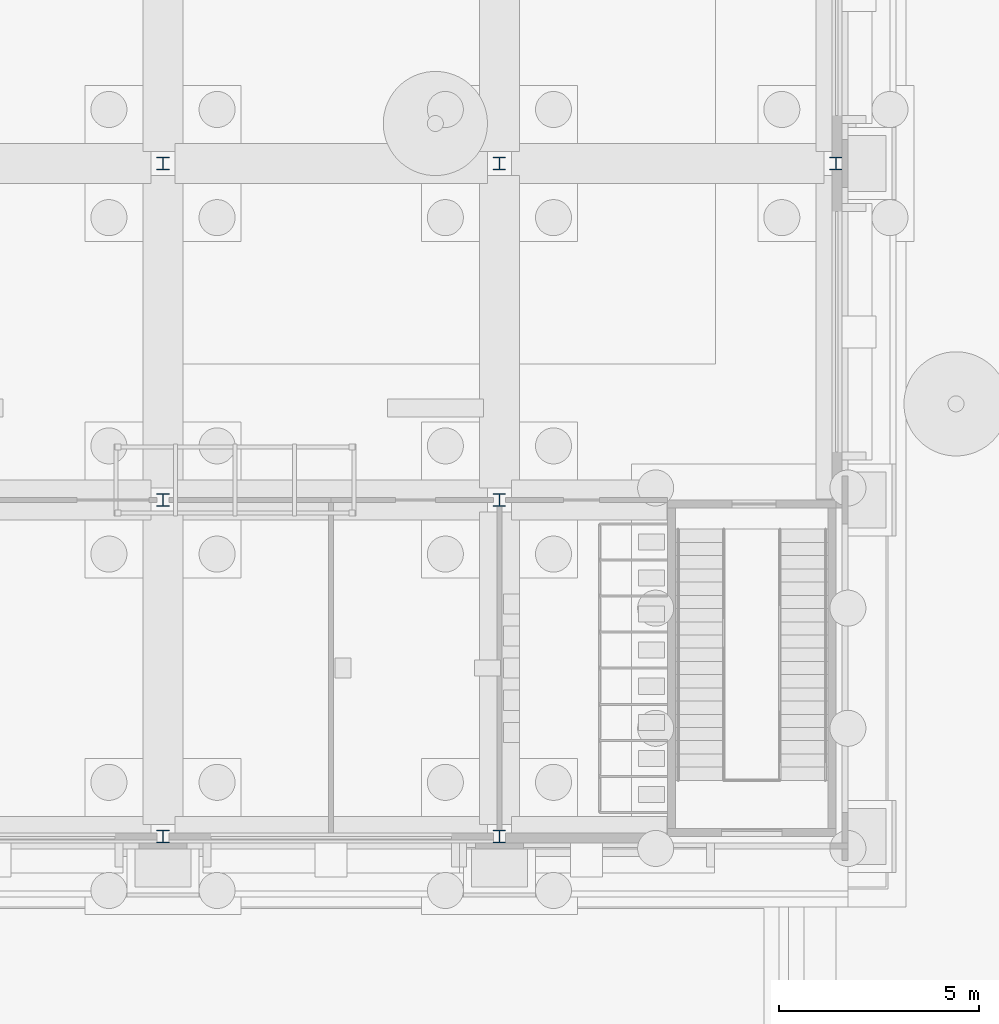
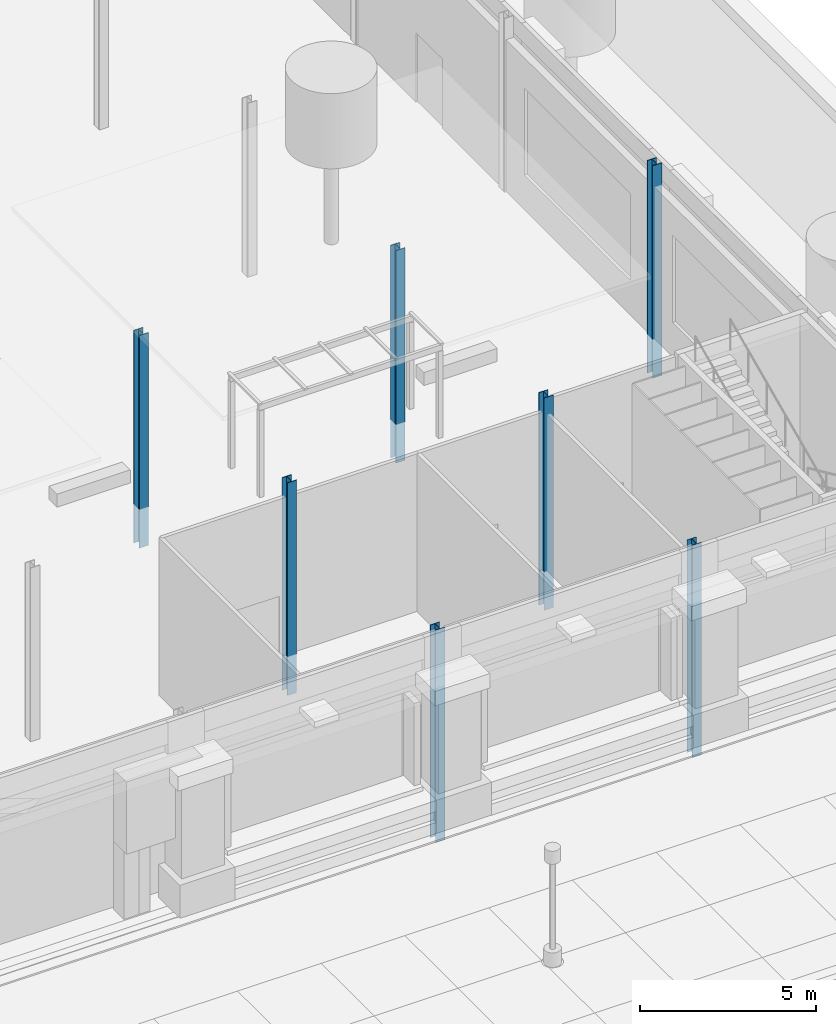
# One storey, part 28 of 222: 7 columns.
"""IFC4 building model written with IfcOpenShell, lengths in metres."""

from ifc_helpers import new_model, si_unit, direction, frame, origin, origin_2d, place, context, subcontext, project, spatial, i_section, extrude, material, material_profile, profile_set, type_object, element, save


model = new_model("IFC4")

# Units and contexts
model_context = context("Model", 3, precision=1e-05, world=origin(), true_north=direction((0.0, 1.0)))
body_context = subcontext(model_context, "Body", "Model", "MODEL_VIEW")
ifc_project = project(units=[si_unit("LENGTHUNIT", "METRE"), si_unit("AREAUNIT", "SQUARE_METRE"), si_unit("VOLUMEUNIT", "CUBIC_METRE"), si_unit("PLANEANGLEUNIT", "RADIAN"), si_unit("MASSUNIT", "GRAM", prefix="KILO")], contexts=[model_context])

# Site, building, storey
site_placement = place(None, origin())
site = spatial("IfcSite", under=ifc_project, at=site_placement, CompositionType="ELEMENT")
building_placement = place(site_placement, origin())
building = spatial("IfcBuilding", under=site, at=building_placement, Name="Sava Quay Ferry Terminal", CompositionType="ELEMENT")
storey_placement = place(building_placement, origin())
storey = spatial("IfcBuildingStorey", under=building, at=storey_placement, Name="L00", CompositionType="ELEMENT", Elevation=0.0)

# Columns
ifc_material = material(Name="Steel S355", Category="steel")
ifc_material_profile = material_profile(ifc_material, i_section(OverallWidth=0.300048828125, OverallDepth=0.320068359375, WebThickness=0.011474609375, FlangeThickness=0.0205078125, at=origin_2d()), Name="HE 320 B")
ifc_profile_set = profile_set([ifc_material_profile], Name="Steel S355")
column_type = type_object("IfcColumnType", Name="Column HE 320 B", PredefinedType="COLUMN", material=ifc_profile_set)
for number, where, z_axis, x_axis, name in (
    (1, (151.199951171875, 25.199951171875, -1.35009765625), (0.0, 0.0, 1.0), (1.0, 0.0, 0.0), "Column L00 151.2/25.2"),
    (2, (151.199951171875, 33.60009765625, -1.35009765625), (0.0, 0.0, 1.0), (1.0, 0.0, 0.0), "Column L00 151.2/33.6"),
    (3, (151.199951171875, 42.0, -1.35009765625), (0.0, 0.0, 1.0), (1.0, 0.0, 0.0), "Column L00 151.2/42"),
    (4, (159.60009765625, 25.199951171875, -1.35009765625), (0.0, 0.0, 1.0), (1.0, 0.0, 0.0), "Column L00 159.6/25.2"),
    (5, (159.60009765625, 33.60009765625, -1.35009765625), (0.0, 0.0, 1.0), (1.0, 0.0, 0.0), "Column L00 159.6/33.6"),
    (6, (159.60009765625, 42.0, -1.35009765625), (0.0, 0.0, 1.0), (1.0, 0.0, 0.0), "Column L00 159.6/42"),
    (7, (168.0, 42.0, -1.35009765625), (0.0, 0.0, 1.0), (1.0, 0.0, 0.0), "Column L00 168/42"),
):
    element("IfcColumn", number, at=place(storey_placement, frame(where, z_axis=z_axis, x_axis=x_axis)), inside=storey, type_object=column_type, Name=name, PredefinedType="COLUMN", context=body_context, shape_type="SweptSolid", body=[
        extrude(i_section(OverallWidth=0.300048828125, OverallDepth=0.320068359375, WebThickness=0.011474609375, FlangeThickness=0.0205078125, at=origin_2d()), origin(), (0.0, 0.0, 1.0), 7.35009765625),
    ])

save(model, "model.ifc")
